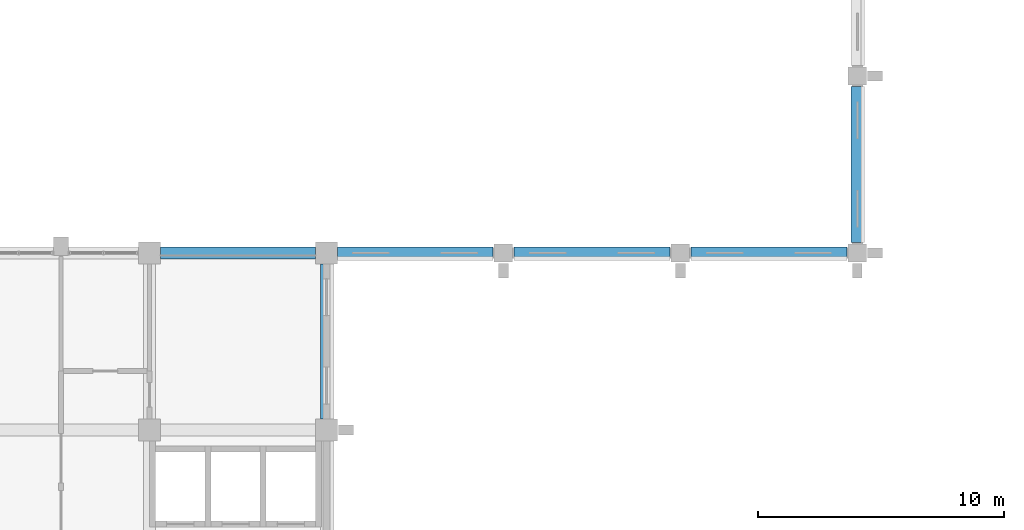
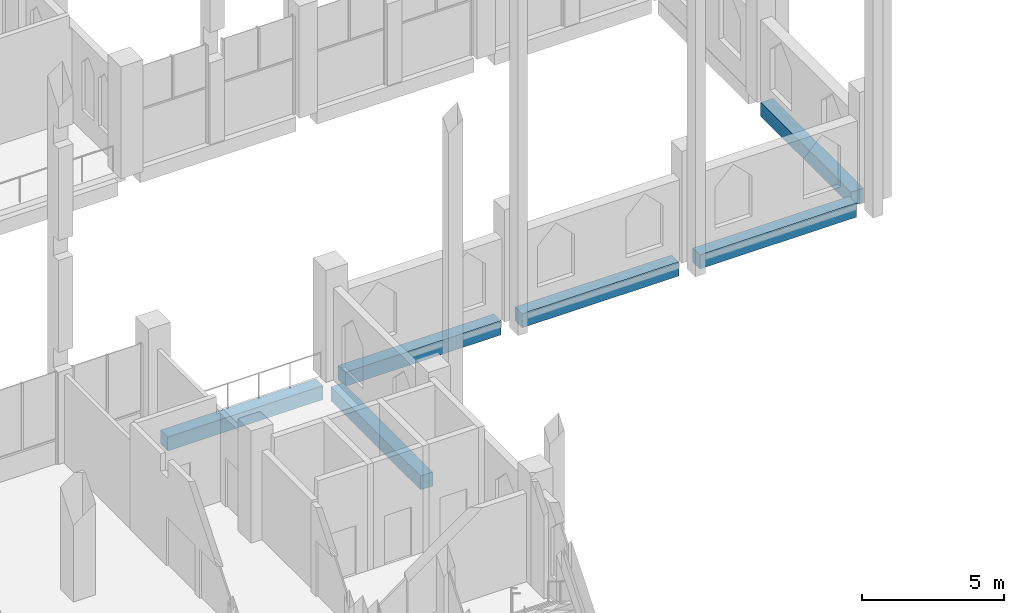
# One storey, part 6 of 40: 6 beams.
"""IFC4 building model written with IfcOpenShell, lengths in metres."""

from ifc_helpers import new_model, si_unit, direction, frame, origin, origin_2d, place, context, subcontext, project, spatial, rectangle, extrude, material, material_profile, profile_set, type_object, element, save


model = new_model("IFC4")

# Units and contexts
model_context = context("Model", 3, precision=1e-05, world=origin(), true_north=direction((0.0, 1.0)))
body_context = subcontext(model_context, "Body", "Model", "MODEL_VIEW")
ifc_project = project(units=[si_unit("LENGTHUNIT", "METRE"), si_unit("AREAUNIT", "SQUARE_METRE"), si_unit("VOLUMEUNIT", "CUBIC_METRE"), si_unit("PLANEANGLEUNIT", "RADIAN"), si_unit("MASSUNIT", "GRAM", prefix="KILO")], contexts=[model_context])

# Site, building, storey
site_placement = place(None, origin())
site = spatial("IfcSite", under=ifc_project, at=site_placement, CompositionType="ELEMENT")
building_placement = place(site_placement, origin())
building = spatial("IfcBuilding", under=site, at=building_placement, Name="Silangan Lancet Faculty of Sciences", CompositionType="ELEMENT")
storey_placement = place(building_placement, frame((0.0, 0.0, 21.60009765625)))
storey = spatial("IfcBuildingStorey", under=building, at=storey_placement, Name="L04", CompositionType="ELEMENT", Elevation=21.60009765625)

# Beams
ifc_material = material(Name="Concrete C40/50", Category="concrete")
ifc_material_profile = material_profile(ifc_material, rectangle(XDim=0.5, YDim=0.60009765625, at=origin_2d()), Name="RC 500x600")
ifc_profile_set = profile_set([ifc_material_profile], Name="Concrete C40/50")
beam_type = type_object("IfcBeamType", Name="BEAM RC 500x600", PredefinedType="BEAM", material=ifc_profile_set)
beam_1_placement = place(storey_placement, frame((22.050048828125, 21.60009765625, -0.550048828125), z_axis=(1.0, 0.0, 0.0), x_axis=(0.0, 1.0, 0.0)))
element("IfcBeam", 1, at=beam_1_placement, inside=storey, type_object=beam_type, Name="BM-L04-4D-5D", PredefinedType="BEAM", context=body_context, shape_type="SweptSolid", body=[
    extrude(rectangle(XDim=0.5, YDim=0.60009765625, at=origin_2d()), origin(), (0.0, 0.0, 1.0), 6.300048828125),
])
beam_2_placement = place(storey_placement, frame((29.25, 21.60009765625, -0.300048828125), z_axis=(1.0, 0.0, 0.0), x_axis=(0.0, 1.0, 0.0)))
element("IfcBeam", 2, at=beam_2_placement, inside=storey, type_object=beam_type, Name="BM-L04-5D-6D", PredefinedType="BEAM", context=body_context, shape_type="SweptSolid", body=[
    extrude(rectangle(XDim=0.5, YDim=0.60009765625, at=origin_2d()), origin(), (0.0, 0.0, 1.0), 6.324951171875),
])
beam_3_placement = place(storey_placement, frame((36.425048828125, 21.60009765625, -0.300048828125), z_axis=(1.0, 0.0, 0.0), x_axis=(0.0, 1.0, 0.0)))
element("IfcBeam", 3, at=beam_3_placement, inside=storey, type_object=beam_type, Name="BM-L04-6D-7D", PredefinedType="BEAM", context=body_context, shape_type="SweptSolid", body=[
    extrude(rectangle(XDim=0.5, YDim=0.60009765625, at=origin_2d()), origin(), (0.0, 0.0, 1.0), 6.349853515625),
])
beam_4_placement = place(storey_placement, frame((43.625, 21.60009765625, -0.300048828125), z_axis=(1.0, 0.0, 0.0), x_axis=(0.0, 1.0, 0.0)))
element("IfcBeam", 4, at=beam_4_placement, inside=storey, type_object=beam_type, Name="BM-L04-7D-8D", PredefinedType="BEAM", context=body_context, shape_type="SweptSolid", body=[
    extrude(rectangle(XDim=0.5, YDim=0.60009765625, at=origin_2d()), origin(), (0.0, 0.0, 1.0), 6.35009765625),
])
beam_5_placement = place(storey_placement, frame((28.800048828125, 14.85009765625, -0.550048828125), z_axis=(0.0, 1.0, 0.0), x_axis=(-1.0, 0.0, 0.0)))
element("IfcBeam", 5, at=beam_5_placement, inside=storey, type_object=beam_type, Name="BM-L04-5C-5D", PredefinedType="BEAM", context=body_context, shape_type="SweptSolid", body=[
    extrude(rectangle(XDim=0.5, YDim=0.60009765625, at=origin_2d()), origin(), (0.0, 0.0, 1.0), 6.2998046875),
])
beam_6_placement = place(storey_placement, frame((50.39990234375, 22.02490234375, -0.300048828125), z_axis=(0.0, 1.0, 0.0), x_axis=(-1.0, 0.0, 0.0)))
element("IfcBeam", 6, at=beam_6_placement, inside=storey, type_object=beam_type, Name="BM-L04-8D-8E", PredefinedType="BEAM", context=body_context, shape_type="SweptSolid", body=[
    extrude(rectangle(XDim=0.5, YDim=0.60009765625, at=origin_2d()), origin(), (0.0, 0.0, 1.0), 6.35009765625),
])

save(model, "model.ifc")
